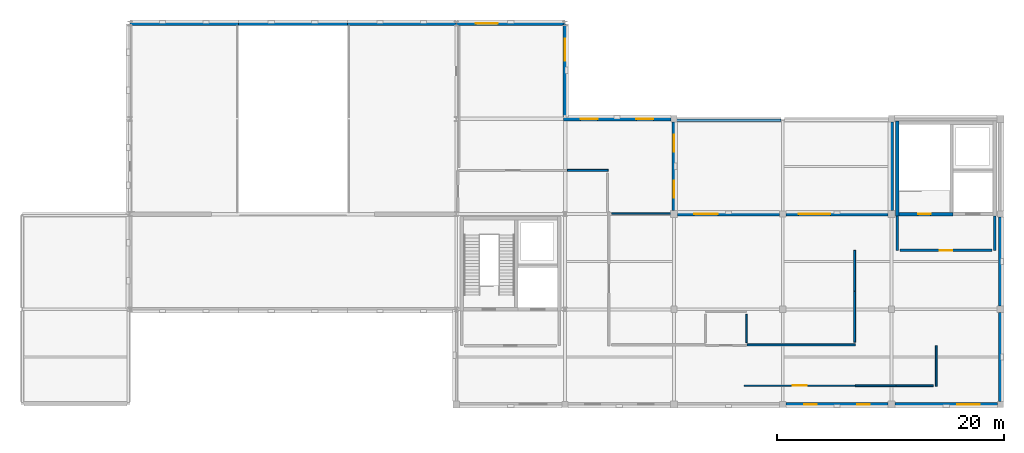
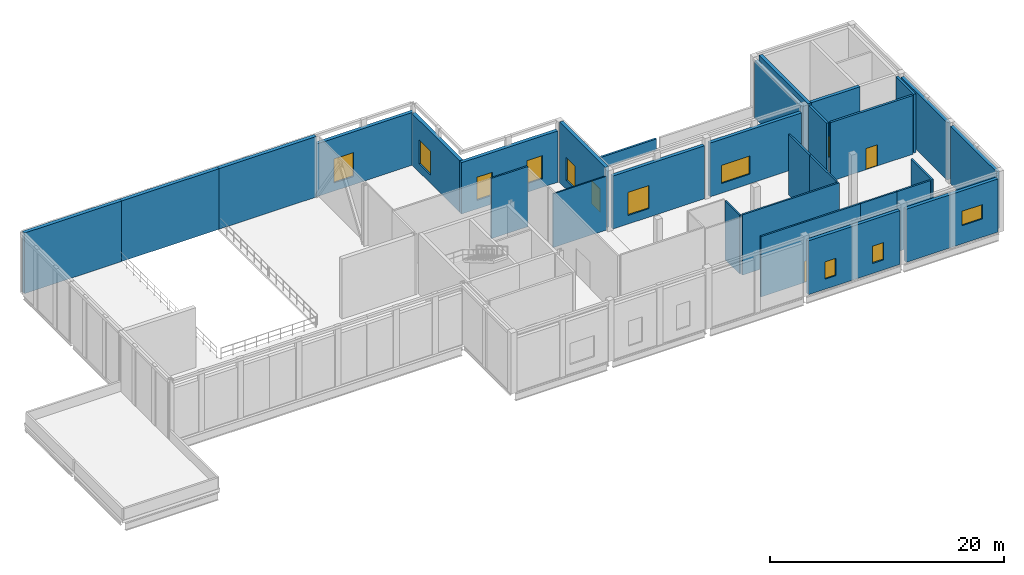
# One storey, part 6 of 9: 30 walls, 11 windows, 3 doors, 14 openings.
"""IFC4 building model written with IfcOpenShell, lengths in metres."""

from ifc_helpers import new_model, si_unit, direction, frame, frame_2d, origin, place, context, subcontext, project, spatial, rectangle, extrude, material, layer, layer_set, type_object, element, fill, save


model = new_model("IFC4")

# Units and contexts
model_context = context("Model", 3, precision=1e-05, world=origin(), true_north=direction((0.0, 1.0)))
body_context = subcontext(model_context, "Body", "Model", "MODEL_VIEW")
ifc_project = project(units=[si_unit("LENGTHUNIT", "METRE"), si_unit("AREAUNIT", "SQUARE_METRE"), si_unit("VOLUMEUNIT", "CUBIC_METRE"), si_unit("PLANEANGLEUNIT", "RADIAN"), si_unit("MASSUNIT", "GRAM", prefix="KILO")], contexts=[model_context])

# Site, building, storey
site_placement = place(None, origin())
site = spatial("IfcSite", under=ifc_project, at=site_placement, CompositionType="ELEMENT")
building_placement = place(site_placement, origin())
building = spatial("IfcBuilding", under=site, at=building_placement, Name="Lornevale Opera House", CompositionType="ELEMENT")
storey_placement = place(building_placement, frame((0.0, 0.0, 24.60009765625)))
storey = spatial("IfcBuildingStorey", under=building, at=storey_placement, Name="L06", CompositionType="ELEMENT", Elevation=24.60009765625)

# Wall, opening, window
ifc_material_1 = material(Name="Queenston Buff Limestone Ashlar Masonry (25 MPa)", Category="masonry")
ifc_layer_1 = layer(ifc_material_1, 0.324951171875)
ifc_layer_set_1 = layer_set([ifc_layer_1], Name="Queenston Buff Limestone Ashlar Masonry (25 MPa)")
wall_type_1 = type_object("IfcWallType", Name="Backstage Limestone Facade Wall 325", PredefinedType="SOLIDWALL", material=ifc_layer_set_1)
wall_1_placement = place(storey_placement, frame((115.5, 67.199951171875, 0.0), z_axis=(0.0, 0.0, 1.0), x_axis=(1.0, 0.0, 0.0)))
wall_1 = element("IfcWall", 1, at=wall_1_placement, inside=storey, type_object=wall_type_1, Name="Backstage Limestone Facade Wall 325 WL-EXT-0311", PredefinedType="SOLIDWALL", context=body_context, shape_type="SweptSolid", body=[
    extrude(rectangle(XDim=9.02490234375, YDim=0.324951171875, at=frame_2d((4.512451171875, 0.0))), origin(), (0.0, 0.0, 1.0), 5.52880859375),
])
opening_1_placement = place(wall_1_placement, frame((1.47705078125, 0.0, 0.89990234375)))
opening_1 = element("IfcOpeningElement", 2, at=opening_1_placement, cuts=wall_1, Name="Opening WN-T04", PredefinedType="OPENING", context=body_context, shape_type="SweptSolid", body=[
    extrude(rectangle(XDim=2.10009765625, YDim=2.39990234375, at=frame_2d((1.050048828125, 1.199951171875))), frame((0.0, 0.17236328125, 0.0), z_axis=(0.0, -1.0, 0.0), x_axis=(1.0, 0.0, 0.0)), (0.0, 0.0, 1.0), 0.344970703125),
])
ifc_material_2 = material(Name="Triple Low-E Insulated Glazing", Category="glass")
ifc_layer_2 = layer(ifc_material_2, 0.06005859375)
ifc_layer_set_2 = layer_set([ifc_layer_2], Name="Triple Low-E Insulated Glazing")
window_type_1 = type_object("IfcWindowType", Name="Punched Deep-Reveal Window 2100x2400", PartitioningType="NOTDEFINED", PredefinedType="WINDOW", material=ifc_layer_set_2)
window_1_placement = place(opening_1_placement, origin())
window_1 = element("IfcWindow", 3, at=window_1_placement, inside=storey, type_object=window_type_1, Name="Punched Deep-Reveal Window 2100x2400 WN-0131", OverallHeight=2.39990234375, OverallWidth=2.10009765625, PartitioningType="SINGLE_PANEL", PredefinedType="WINDOW", context=body_context, shape_type="SweptSolid", body=[
    extrude(rectangle(XDim=2.10009765625, YDim=2.39990234375, at=frame_2d((1.050048828125, 1.199951171875))), frame((0.0, 0.030029296875, 0.0), z_axis=(0.0, -1.0, 0.0), x_axis=(1.0, 0.0, 0.0)), (0.0, 0.0, 1.0), 0.06005859375),
])
fill(opening_1, window_1)

# Wall, openings, windows
wall_2_placement = place(storey_placement, frame((134.10009765625, 50.39990234375, 0.0), z_axis=(0.0, 0.0, 1.0), x_axis=(-1.0, 0.0, 0.0)))
wall_2 = element("IfcWall", 4, at=wall_2_placement, inside=storey, type_object=wall_type_1, Name="Backstage Limestone Facade Wall 325 WL-EXT-0312", PredefinedType="SOLIDWALL", context=body_context, shape_type="SweptSolid", body=[
    extrude(rectangle(XDim=9.025146484375, YDim=0.324951171875, at=frame_2d((4.5126953125, 0.0))), origin(), (0.0, 0.0, 1.0), 5.60693359375),
])
opening_2_placement = place(wall_2_placement, frame((1.615966796875, 0.0, 1.050048828125)))
opening_2 = element("IfcOpeningElement", 5, at=opening_2_placement, cuts=wall_2, Name="Opening WN-T06", PredefinedType="OPENING", context=body_context, shape_type="SweptSolid", body=[
    extrude(rectangle(XDim=1.10009765625, YDim=1.800048828125, at=frame_2d((0.550048828125, 0.89990234375))), frame((0.0, 0.17236328125, 0.0), z_axis=(0.0, -1.0, 0.0), x_axis=(1.0, 0.0, 0.0)), (0.0, 0.0, 1.0), 0.344970703125),
])
opening_3_placement = place(wall_2_placement, frame((6.30908203125, 0.0, 1.050048828125)))
opening_3 = element("IfcOpeningElement", 6, at=opening_3_placement, cuts=wall_2, Name="Opening WN-T06", PredefinedType="OPENING", context=body_context, shape_type="SweptSolid", body=[
    extrude(rectangle(XDim=1.10009765625, YDim=1.800048828125, at=frame_2d((0.550048828125, 0.89990234375))), frame((0.0, 0.17236328125, 0.0), z_axis=(0.0, -1.0, 0.0), x_axis=(1.0, 0.0, 0.0)), (0.0, 0.0, 1.0), 0.344970703125),
])
ifc_layer_3 = layer(ifc_material_2, 0.06005859375)
ifc_layer_set_3 = layer_set([ifc_layer_3], Name="Triple Low-E Insulated Glazing")
window_type_2 = type_object("IfcWindowType", Name="Dressing Suite Operable Window 1100x1800", PartitioningType="NOTDEFINED", PredefinedType="WINDOW", material=ifc_layer_set_3)
window_2_placement = place(opening_2_placement, origin())
window_2 = element("IfcWindow", 7, at=window_2_placement, inside=storey, type_object=window_type_2, Name="Dressing Suite Operable Window 1100x1800 WN-0132", OverallHeight=1.800048828125, OverallWidth=1.10009765625, PartitioningType="SINGLE_PANEL", PredefinedType="WINDOW", context=body_context, shape_type="SweptSolid", body=[
    extrude(rectangle(XDim=1.10009765625, YDim=1.800048828125, at=frame_2d((0.550048828125, 0.89990234375))), frame((0.0, 0.030029296875, 0.0), z_axis=(0.0, -1.0, 0.0), x_axis=(1.0, 0.0, 0.0)), (0.0, 0.0, 1.0), 0.06005859375),
])
fill(opening_2, window_2)
window_3_placement = place(opening_3_placement, origin())
window_3 = element("IfcWindow", 8, at=window_3_placement, inside=storey, type_object=window_type_2, Name="Dressing Suite Operable Window 1100x1800 WN-0133", OverallHeight=1.800048828125, OverallWidth=1.10009765625, PartitioningType="SINGLE_PANEL", PredefinedType="WINDOW", context=body_context, shape_type="SweptSolid", body=[
    extrude(rectangle(XDim=1.10009765625, YDim=1.800048828125, at=frame_2d((0.550048828125, 0.89990234375))), frame((0.0, 0.030029296875, 0.0), z_axis=(0.0, -1.0, 0.0), x_axis=(1.0, 0.0, 0.0)), (0.0, 0.0, 1.0), 0.06005859375),
])
fill(opening_3, window_3)

# Wall, opening, window
wall_3_placement = place(storey_placement, frame((125.074951171875, 67.199951171875, 0.0), z_axis=(0.0, 0.0, 1.0), x_axis=(1.0, 0.0, 0.0)))
wall_3 = element("IfcWall", 9, at=wall_3_placement, inside=storey, type_object=wall_type_1, Name="Backstage Limestone Facade Wall 325 WL-EXT-0313", PredefinedType="SOLIDWALL", context=body_context, shape_type="SweptSolid", body=[
    extrude(rectangle(XDim=9.025146484375, YDim=0.324951171875, at=frame_2d((4.5126953125, 0.0))), origin(), (0.0, 0.0, 1.0), 5.60693359375),
])
opening_4_placement = place(wall_3_placement, frame((1.126953125, 0.0, 1.0)))
opening_4 = element("IfcOpeningElement", 10, at=opening_4_placement, cuts=wall_3, Name="Opening WN-T09", PredefinedType="OPENING", context=body_context, shape_type="SweptSolid", body=[
    extrude(rectangle(XDim=2.800048828125, YDim=1.89990234375, at=frame_2d((1.39990234375, 0.949951171875))), frame((0.0, 0.17236328125, 0.0), z_axis=(0.0, -1.0, 0.0), x_axis=(1.0, 0.0, 0.0)), (0.0, 0.0, 1.0), 0.344970703125),
])
ifc_layer_4 = layer(ifc_material_2, 0.06005859375)
ifc_layer_set_4 = layer_set([ifc_layer_4], Name="Triple Low-E Insulated Glazing")
window_type_3 = type_object("IfcWindowType", Name="Administration Ribbon Window 2800x1900", PartitioningType="NOTDEFINED", PredefinedType="WINDOW", material=ifc_layer_set_4)
window_4_placement = place(opening_4_placement, origin())
window_4 = element("IfcWindow", 11, at=window_4_placement, inside=storey, type_object=window_type_3, Name="Administration Ribbon Window 2800x1900 WN-0134", OverallHeight=1.89990234375, OverallWidth=2.800048828125, PartitioningType="SINGLE_PANEL", PredefinedType="WINDOW", context=body_context, shape_type="SweptSolid", body=[
    extrude(rectangle(XDim=2.800048828125, YDim=1.89990234375, at=frame_2d((1.39990234375, 0.949951171875))), frame((0.0, 0.030029296875, 0.0), z_axis=(0.0, -1.0, 0.0), x_axis=(1.0, 0.0, 0.0)), (0.0, 0.0, 1.0), 0.06005859375),
])
fill(opening_4, window_4)

wall_4_placement = place(storey_placement, frame((143.72509765625, 50.39990234375, 0.0), z_axis=(0.0, 0.0, 1.0), x_axis=(-1.0, 0.0, 0.0)))
wall_4 = element("IfcWall", 12, at=wall_4_placement, inside=storey, type_object=wall_type_1, Name="Backstage Limestone Facade Wall 325 WL-EXT-0314", PredefinedType="SOLIDWALL", context=body_context, shape_type="SweptSolid", body=[
    extrude(rectangle(XDim=9.025146484375, YDim=0.324951171875, at=frame_2d((4.5126953125, 0.0))), origin(), (0.0, 0.0, 1.0), 5.52880859375),
])
opening_5_placement = place(wall_4_placement, frame((1.527099609375, 0.0, 1.89990234375)))
opening_5 = element("IfcOpeningElement", 13, at=opening_5_placement, cuts=wall_4, Name="Opening WN-T11", PredefinedType="OPENING", context=body_context, shape_type="SweptSolid", body=[
    extrude(rectangle(XDim=2.0, YDim=1.5, at=frame_2d((1.0, 0.75))), frame((0.0, 0.17236328125, 0.0), z_axis=(0.0, -1.0, 0.0), x_axis=(1.0, 0.0, 0.0)), (0.0, 0.0, 1.0), 0.344970703125),
])
ifc_layer_5 = layer(ifc_material_2, 0.06005859375)
ifc_layer_set_5 = layer_set([ifc_layer_5], Name="Triple Low-E Insulated Glazing")
window_type_4 = type_object("IfcWindowType", Name="Workshop Operable Window 2000x1500", PartitioningType="NOTDEFINED", PredefinedType="WINDOW", material=ifc_layer_set_5)
window_5_placement = place(opening_5_placement, origin())
window_5 = element("IfcWindow", 14, at=window_5_placement, inside=storey, type_object=window_type_4, Name="Workshop Operable Window 2000x1500 WN-0135", OverallHeight=1.5, OverallWidth=2.0, PartitioningType="SINGLE_PANEL", PredefinedType="WINDOW", context=body_context, shape_type="SweptSolid", body=[
    extrude(rectangle(XDim=2.0, YDim=1.5, at=frame_2d((1.0, 0.75))), frame((0.0, 0.030029296875, 0.0), z_axis=(0.0, -1.0, 0.0), x_axis=(1.0, 0.0, 0.0)), (0.0, 0.0, 1.0), 0.06005859375),
])
fill(opening_5, window_5)

# Walls
for number, where, z_axis, x_axis, name in (
    (15, (144.0, 58.5, 0.0), (0.0, 0.0, 1.0), (0.0, -1.0, 0.0), "Backstage Limestone Facade Wall 325 WL-EXT-0315"),
    (16, (144.0, 66.925048828125, 0.0), (0.0, 0.0, 1.0), (0.0, -1.0, 0.0), "Backstage Limestone Facade Wall 325 WL-EXT-0316"),
    (17, (134.39990234375, 67.5, 0.0), (0.0, 0.0, 1.0), (0.0, 1.0, 0.0), "Backstage Limestone Facade Wall 325 WL-EXT-0318"),
):
    element("IfcWall", number, at=place(storey_placement, frame(where, z_axis=z_axis, x_axis=x_axis)), inside=storey, type_object=wall_type_1, Name=name, PredefinedType="SOLIDWALL", context=body_context, shape_type="SweptSolid", body=[
        extrude(rectangle(XDim=7.824951171875, YDim=0.324951171875, at=frame_2d((3.91259765625, 0.0))), origin(), (0.0, 0.0, 1.0), 5.977783203125),
    ])

# Wall, opening, door
ifc_material_3 = material(Name="Concrete 40 MPa (CSA A23.1 C-1)", Category="concrete")
ifc_layer_6 = layer(ifc_material_3, 0.320068359375)
ifc_layer_set_6 = layer_set([ifc_layer_6], Name="Concrete 40 MPa (CSA A23.1 C-1)")
wall_type_2 = type_object("IfcWallType", Name="Core Shear Wall 320", PredefinedType="SHEAR", material=ifc_layer_set_6)
wall_5_placement = place(storey_placement, frame((135.06005859375, 67.199951171875, 0.0), z_axis=(0.0, 0.0, 1.0), x_axis=(1.0, 0.0, 0.0)))
wall_5 = element("IfcWall", 18, at=wall_5_placement, inside=storey, type_object=wall_type_2, Name="Backstage Firefighter Core East Core Shear Wall 320 WL-COR-0310", PredefinedType="SHEAR", context=body_context, shape_type="SweptSolid", body=[
    extrude(rectangle(XDim=4.780029296875, YDim=0.320068359375, at=frame_2d((2.39013671875, 0.0))), origin(), (0.0, 0.0, 1.0), 6.309814453125),
])
opening_6_placement = place(wall_5_placement, frame((1.68994140625, 0.0, 0.0)))
opening_6 = element("IfcOpeningElement", 19, at=opening_6_placement, cuts=wall_5, Name="Opening DR-T10", PredefinedType="OPENING", context=body_context, shape_type="SweptSolid", body=[
    extrude(rectangle(XDim=1.10009765625, YDim=2.199951171875, at=frame_2d((0.550048828125, 1.10009765625))), frame((0.0, 0.169921875, 0.0), z_axis=(0.0, -1.0, 0.0), x_axis=(1.0, 0.0, 0.0)), (0.0, 0.0, 1.0), 0.340087890625),
])
ifc_material_4 = material(Name="Painted Hollow Metal Door Steel", Category="steel")
ifc_layer_7 = layer(ifc_material_4, 2.199951171875)
ifc_layer_set_7 = layer_set([ifc_layer_7], Name="Painted Hollow Metal Door Steel")
door_type_1 = type_object("IfcDoorType", Name="Protected Exit Stair Door L 1100x2200", OperationType="NOTDEFINED", PredefinedType="DOOR", material=ifc_layer_set_7)
door_1_placement = place(opening_6_placement, origin())
door_1 = element("IfcDoor", 20, at=door_1_placement, inside=storey, type_object=door_type_1, Name="C7 Stair Door L06", OperationType="SINGLE_SWING_LEFT", OverallHeight=2.199951171875, OverallWidth=1.10009765625, PredefinedType="DOOR", context=body_context, shape_type="SweptSolid", body=[
    extrude(rectangle(XDim=1.10009765625, YDim=2.199951171875, at=frame_2d((0.550048828125, 1.10009765625))), frame((0.0, 0.02490234375, 0.0), z_axis=(0.0, -1.0, 0.0), x_axis=(1.0, 0.0, 0.0)), (0.0, 0.0, 1.0), 0.050048828125),
])
fill(opening_6, door_1)

# Walls
wall_6_placement = place(storey_placement, frame((134.89990234375, 75.39990234375, 0.0), z_axis=(0.0, 0.0, 1.0), x_axis=(0.0, -1.0, 0.0)))
element("IfcWall", 21, at=wall_6_placement, inside=storey, type_object=wall_type_2, Name="Backstage Firefighter Core East Core Shear Wall 320 WL-COR-0313", PredefinedType="SHEAR", context=body_context, shape_type="SweptSolid", body=[
    extrude(rectangle(XDim=8.35986328125, YDim=0.320068359375, at=frame_2d((4.179931640625, 0.0))), origin(), (0.0, 0.0, 1.0), 6.309814453125),
])
ifc_material_5 = material(Name="Acoustic Mineral-Core Gypsum Partition", Category="gypsum")
ifc_layer_8 = layer(ifc_material_5, 0.1650390625)
ifc_layer_set_8 = layer_set([ifc_layer_8], Name="Acoustic Mineral-Core Gypsum Partition")
wall_type_3 = type_object("IfcWallType", Name="Corridor Rated Partition 165", PredefinedType="PARTITIONING", material=ifc_layer_set_8)
wall_7_placement = place(storey_placement, frame((121.659912109375, 55.659912109375, 0.0), z_axis=(0.0, 0.0, 1.0), x_axis=(1.0, 0.0, 0.0)))
element("IfcWall", 22, at=wall_7_placement, inside=storey, type_object=wall_type_3, Name="L06 Partition WL-INT-0908", PredefinedType="PARTITIONING", context=body_context, shape_type="SweptSolid", body=[
    extrude(rectangle(XDim=9.5400390625, YDim=0.1650390625, at=frame_2d((4.77001953125, 0.0))), origin(), (0.0, 0.0, 1.0), 6.27978515625),
])
wall_8_placement = place(storey_placement, frame((131.139892578125, 55.909912109375, 0.0), z_axis=(0.0, 0.0, 1.0), x_axis=(0.0, 1.0, 0.0)))
element("IfcWall", 23, at=wall_8_placement, inside=storey, type_object=wall_type_3, Name="L06 Partition WL-INT-0909", PredefinedType="PARTITIONING", context=body_context, shape_type="SweptSolid", body=[
    extrude(rectangle(XDim=4.489990234375, YDim=0.1650390625, at=frame_2d((2.2451171875, 0.0))), origin(), (0.0, 0.0, 1.0), 6.27978515625),
])
wall_9_placement = place(storey_placement, frame((131.139892578125, 60.39990234375, 0.0), z_axis=(0.0, 0.0, 1.0), x_axis=(0.0, 1.0, 0.0)))
element("IfcWall", 24, at=wall_9_placement, inside=storey, type_object=wall_type_3, Name="L06 Partition WL-INT-0910", PredefinedType="PARTITIONING", context=body_context, shape_type="SweptSolid", body=[
    extrude(rectangle(XDim=3.60009765625, YDim=0.1650390625, at=frame_2d((1.800048828125, 0.0))), origin(), (0.0, 0.0, 1.0), 6.27978515625),
])

# Wall, opening, door
wall_10_placement = place(storey_placement, frame((121.39990234375, 52.06005859375, 0.0), z_axis=(0.0, 0.0, 1.0), x_axis=(1.0, 0.0, 0.0)))
wall_10 = element("IfcWall", 25, at=wall_10_placement, inside=storey, type_object=wall_type_3, Name="L06 Partition WL-INT-0911", PredefinedType="PARTITIONING", context=body_context, shape_type="SweptSolid", body=[
    extrude(rectangle(XDim=9.800048828125, YDim=0.1650390625, at=frame_2d((4.89990234375, 0.0))), origin(), (0.0, 0.0, 1.0), 6.27978515625),
])
opening_7_placement = place(wall_10_placement, frame((4.300048828125, 0.0, 0.0)))
opening_7 = element("IfcOpeningElement", 26, at=opening_7_placement, cuts=wall_10, Name="Opening DR-T24", PredefinedType="OPENING", context=body_context, shape_type="SweptSolid", body=[
    extrude(rectangle(XDim=1.199951171875, YDim=2.199951171875, at=frame_2d((0.60009765625, 1.10009765625))), frame((0.0, 0.092529296875, 0.0), z_axis=(0.0, -1.0, 0.0), x_axis=(1.0, 0.0, 0.0)), (0.0, 0.0, 1.0), 0.18505859375),
])
ifc_layer_9 = layer(ifc_material_4, 2.199951171875)
ifc_layer_set_9 = layer_set([ifc_layer_9], Name="Painted Hollow Metal Door Steel")
door_type_2 = type_object("IfcDoorType", Name="Plant Room Rated Door R 1200x2200", OperationType="NOTDEFINED", PredefinedType="DOOR", material=ifc_layer_set_9)
door_2_placement = place(opening_7_placement, origin())
door_2 = element("IfcDoor", 27, at=door_2_placement, inside=storey, type_object=door_type_2, Name="Production Archive & Dimmer Plant Door", OperationType="SINGLE_SWING_RIGHT", OverallHeight=2.199951171875, OverallWidth=1.199951171875, PredefinedType="DOOR", context=body_context, shape_type="SweptSolid", body=[
    extrude(rectangle(XDim=1.199951171875, YDim=2.199951171875, at=frame_2d((0.60009765625, 1.10009765625))), frame((0.0, 0.02490234375, 0.0), z_axis=(0.0, -1.0, 0.0), x_axis=(1.0, 0.0, 0.0)), (0.0, 0.0, 1.0), 0.050048828125),
])
fill(opening_7, door_2)

# Walls
wall_11_placement = place(storey_placement, frame((138.340087890625, 52.0, 0.0), z_axis=(0.0, 0.0, 1.0), x_axis=(0.0, 1.0, 0.0)))
element("IfcWall", 28, at=wall_11_placement, inside=storey, type_object=wall_type_3, Name="L06 Partition WL-INT-0912", PredefinedType="PARTITIONING", context=body_context, shape_type="SweptSolid", body=[
    extrude(rectangle(XDim=3.60009765625, YDim=0.1650390625, at=frame_2d((1.800048828125, 0.0))), origin(), (0.0, 0.0, 1.0), 6.27978515625),
])
wall_12_placement = place(storey_placement, frame((134.800048828125, 52.06005859375, 0.0), z_axis=(0.0, 0.0, 1.0), x_axis=(1.0, 0.0, 0.0)))
element("IfcWall", 29, at=wall_12_placement, inside=storey, type_object=wall_type_3, Name="L06 Partition WL-INT-0913", PredefinedType="PARTITIONING", context=body_context, shape_type="SweptSolid", body=[
    extrude(rectangle(XDim=3.2900390625, YDim=0.1650390625, at=frame_2d((1.64501953125, 0.0))), origin(), (0.0, 0.0, 1.0), 6.27978515625),
])
wall_13_placement = place(storey_placement, frame((131.199951171875, 52.06005859375, 0.0), z_axis=(0.0, 0.0, 1.0), x_axis=(1.0, 0.0, 0.0)))
element("IfcWall", 30, at=wall_13_placement, inside=storey, type_object=wall_type_3, Name="L06 Partition WL-INT-0914", PredefinedType="PARTITIONING", context=body_context, shape_type="SweptSolid", body=[
    extrude(rectangle(XDim=3.60009765625, YDim=0.1650390625, at=frame_2d((1.800048828125, 0.0))), origin(), (0.0, 0.0, 1.0), 6.27978515625),
])
wall_14_placement = place(storey_placement, frame((105.800048828125, 71.06005859375, 0.0), z_axis=(0.0, 0.0, 1.0), x_axis=(1.0, 0.0, 0.0)))
element("IfcWall", 31, at=wall_14_placement, inside=storey, type_object=wall_type_3, Name="L06 Partition WL-INT-0916", PredefinedType="PARTITIONING", context=body_context, shape_type="SweptSolid", body=[
    extrude(rectangle(XDim=3.599853515625, YDim=0.1650390625, at=frame_2d((1.7998046875, 0.0))), origin(), (0.0, 0.0, 1.0), 6.27978515625),
])
ifc_layer_10 = layer(ifc_material_5, 0.125)
ifc_layer_set_10 = layer_set([ifc_layer_10], Name="Acoustic Mineral-Core Gypsum Partition")
wall_type_4 = type_object("IfcWallType", Name="Dressing Suite Partition 125", PredefinedType="PARTITIONING", material=ifc_layer_set_10)
wall_15_placement = place(storey_placement, frame((109.7099609375, 67.260009765625, 0.0), z_axis=(0.0, 0.0, 1.0), x_axis=(1.0, 0.0, 0.0)))
element("IfcWall", 32, at=wall_15_placement, inside=storey, type_object=wall_type_4, Name="L06 Partition WL-INT-0919", PredefinedType="PARTITIONING", context=body_context, shape_type="SweptSolid", body=[
    extrude(rectangle(XDim=5.27001953125, YDim=0.125, at=frame_2d((2.635009765625, 0.0))), origin(), (0.0, 0.0, 1.0), 5.596923828125),
])
ifc_material_6 = material(Name="Concrete 35 MPa (CSA A23.1 N)", Category="concrete")
ifc_layer_11 = layer(ifc_material_6, 0.219970703125)
ifc_layer_set_11 = layer_set([ifc_layer_11], Name="Concrete 35 MPa (CSA A23.1 N)")
wall_type_5 = type_object("IfcWallType", Name="Firefighter Vestibule Wall 220", PredefinedType="SOLIDWALL", material=ifc_layer_set_11)
for number, where, z_axis, x_axis, name in (
    (33, (134.89990234375, 64.0, 0.0), (0.0, 0.0, 1.0), (0.0, 1.0, 0.0), "C7 Vestibule West Wall WL-INT-0421"),
    (34, (143.5, 64.0, 0.0), (0.0, 0.0, 1.0), (0.0, 1.0, 0.0), "C7 Vestibule East Wall WL-INT-0422"),
):
    element("IfcWall", number, at=place(storey_placement, frame(where, z_axis=z_axis, x_axis=x_axis)), inside=storey, type_object=wall_type_5, Name=name, PredefinedType="SOLIDWALL", context=body_context, shape_type="SweptSolid", body=[
        extrude(rectangle(XDim=3.0400390625, YDim=0.219970703125, at=frame_2d((1.52001953125, 0.0))), origin(), (0.0, 0.0, 1.0), 6.119873046875),
    ])

# Wall, opening, door
wall_16_placement = place(storey_placement, frame((135.14990234375, 64.0, 0.0), z_axis=(0.0, 0.0, 1.0), x_axis=(1.0, 0.0, 0.0)))
wall_16 = element("IfcWall", 35, at=wall_16_placement, inside=storey, type_object=wall_type_5, Name="C7 Vestibule South Wall WL-INT-0423", PredefinedType="SOLIDWALL", context=body_context, shape_type="SweptSolid", body=[
    extrude(rectangle(XDim=8.10009765625, YDim=0.219970703125, at=frame_2d((4.050048828125, 0.0))), origin(), (0.0, 0.0, 1.0), 6.119873046875),
])
opening_8_placement = place(wall_16_placement, frame((3.5, 0.0, 0.0)))
opening_8 = element("IfcOpeningElement", 36, at=opening_8_placement, cuts=wall_16, Name="Opening DR-T13", PredefinedType="OPENING", context=body_context, shape_type="SweptSolid", body=[
    extrude(rectangle(XDim=1.10009765625, YDim=2.199951171875, at=frame_2d((0.550048828125, 1.10009765625))), frame((0.0, 0.119873046875, 0.0), z_axis=(0.0, -1.0, 0.0), x_axis=(1.0, 0.0, 0.0)), (0.0, 0.0, 1.0), 0.239990234375),
])
ifc_layer_12 = layer(ifc_material_4, 2.199951171875)
ifc_layer_set_12 = layer_set([ifc_layer_12], Name="Painted Hollow Metal Door Steel")
door_type_3 = type_object("IfcDoorType", Name="Firefighter Vestibule Door 1100x2200", OperationType="NOTDEFINED", PredefinedType="DOOR", material=ifc_layer_set_12)
door_3_placement = place(opening_8_placement, origin())
door_3 = element("IfcDoor", 37, at=door_3_placement, inside=storey, type_object=door_type_3, Name="C7 Firefighter Vestibule Door L06", OperationType="SINGLE_SWING_LEFT", OverallHeight=2.199951171875, OverallWidth=1.10009765625, PredefinedType="DOOR", context=body_context, shape_type="SweptSolid", body=[
    extrude(rectangle(XDim=1.10009765625, YDim=2.199951171875, at=frame_2d((0.550048828125, 1.10009765625))), frame((0.0, 0.02490234375, 0.0), z_axis=(0.0, -1.0, 0.0), x_axis=(1.0, 0.0, 0.0)), (0.0, 0.0, 1.0), 0.050048828125),
])
fill(opening_8, door_3)

# Walls
ifc_material_7 = material(Name="Precast Concrete 40 MPa (CSA A23.1 C-1)", Category="concrete")
ifc_layer_13 = layer(ifc_material_7, 0.360107421875)
ifc_layer_set_13 = layer_set([ifc_layer_13], Name="Precast Concrete 40 MPa (CSA A23.1 C-1)")
wall_type_6 = type_object("IfcWallType", Name="Fly Tower Acoustic Precast Wall 360", PredefinedType="SOLIDWALL", material=ifc_layer_set_13)
wall_17_placement = place(storey_placement, frame((67.219970703125, 84.0, 0.0), z_axis=(0.0, 0.0, 1.0), x_axis=(1.0, 0.0, 0.0)))
element("IfcWall", 38, at=wall_17_placement, inside=storey, type_object=wall_type_6, Name="Fly Tower Acoustic Precast Wall 360 WL-EXT-0297", PredefinedType="SOLIDWALL", context=body_context, shape_type="SweptSolid", body=[
    extrude(rectangle(XDim=9.574951171875, YDim=0.360107421875, at=frame_2d((4.78759765625, 0.0))), origin(), (0.0, 0.0, 1.0), 6.309814453125),
])
wall_18_placement = place(storey_placement, frame((76.804931640625, 84.0, 0.0), z_axis=(0.0, 0.0, 1.0), x_axis=(1.0, 0.0, 0.0)))
element("IfcWall", 39, at=wall_18_placement, inside=storey, type_object=wall_type_6, Name="Fly Tower Acoustic Precast Wall 360 WL-EXT-0300", PredefinedType="SOLIDWALL", context=body_context, shape_type="SweptSolid", body=[
    extrude(rectangle(XDim=9.590087890625, YDim=0.360107421875, at=frame_2d((4.794921875, 0.0))), origin(), (0.0, 0.0, 1.0), 6.309814453125),
])
wall_19_placement = place(storey_placement, frame((86.405029296875, 84.0, 0.0), z_axis=(0.0, 0.0, 1.0), x_axis=(1.0, 0.0, 0.0)))
element("IfcWall", 40, at=wall_19_placement, inside=storey, type_object=wall_type_6, Name="Fly Tower Acoustic Precast Wall 360 WL-EXT-0302", PredefinedType="SOLIDWALL", context=body_context, shape_type="SweptSolid", body=[
    extrude(rectangle(XDim=9.574951171875, YDim=0.360107421875, at=frame_2d((4.78759765625, 0.0))), origin(), (0.0, 0.0, 1.0), 6.309814453125),
])
ifc_layer_14 = layer(ifc_material_7, 0.195068359375)
ifc_layer_set_14 = layer_set([ifc_layer_14], Name="Precast Concrete 40 MPa (CSA A23.1 C-1)")
wall_type_7 = type_object("IfcWallType", Name="Green Roof Parapet Wall 195", PredefinedType="PARAPET", material=ifc_layer_set_14)
wall_20_placement = place(storey_placement, frame((115.360107421875, 75.469970703125, 0.0), z_axis=(0.0, 0.0, 1.0), x_axis=(1.0, 0.0, 0.0)))
element("IfcWall", 41, at=wall_20_placement, inside=storey, type_object=wall_type_7, Name="Green Roof Parapet Wall 195 0487", PredefinedType="PARAPET", context=body_context, shape_type="SweptSolid", body=[
    extrude(rectangle(XDim=9.27978515625, YDim=0.195068359375, at=frame_2d((4.639892578125, 0.0))), origin(), (0.0, 0.0, 1.0), 1.14990234375),
])

# Wall, opening, window
ifc_material_8 = material(Name="Credit Valley Sandstone Ashlar Masonry (25 MPa)", Category="masonry")
ifc_layer_15 = layer(ifc_material_8, 0.340087890625)
ifc_layer_set_15 = layer_set([ifc_layer_15], Name="Credit Valley Sandstone Ashlar Masonry (25 MPa)")
wall_type_8 = type_object("IfcWallType", Name="Polychrome Drum Cavity Wall 340", PredefinedType="SOLIDWALL", material=ifc_layer_set_15)
wall_21_placement = place(storey_placement, frame((96.02001953125, 84.0, 0.0), z_axis=(0.0, 0.0, 1.0), x_axis=(1.0, 0.0, 0.0)))
wall_21 = element("IfcWall", 42, at=wall_21_placement, inside=storey, type_object=wall_type_8, Name="Polychrome Drum Cavity Wall 340 WL-EXT-0305", PredefinedType="SOLIDWALL", context=body_context, shape_type="SweptSolid", body=[
    extrude(rectangle(XDim=9.56005859375, YDim=0.340087890625, at=frame_2d((4.780029296875, 0.0))), origin(), (0.0, 0.0, 1.0), 5.4990234375),
])
opening_9_placement = place(wall_21_placement, frame((1.701904296875, 0.0, 0.85009765625)))
opening_9 = element("IfcOpeningElement", 43, at=opening_9_placement, cuts=wall_21, Name="Opening WN-T20", PredefinedType="OPENING", context=body_context, shape_type="SweptSolid", body=[
    extrude(rectangle(XDim=1.949951171875, YDim=2.5, at=frame_2d((0.97509765625, 1.25))), frame((0.0, 0.179931640625, 0.0), z_axis=(0.0, -1.0, 0.0), x_axis=(1.0, 0.0, 0.0)), (0.0, 0.0, 1.0), 0.360107421875),
])
ifc_layer_16 = layer(ifc_material_2, 0.06005859375)
ifc_layer_set_16 = layer_set([ifc_layer_16], Name="Triple Low-E Insulated Glazing")
window_type_5 = type_object("IfcWindowType", Name="Belvedere Corner Window 1950x2500", PartitioningType="NOTDEFINED", PredefinedType="WINDOW", material=ifc_layer_set_16)
window_6_placement = place(opening_9_placement, origin())
window_6 = element("IfcWindow", 44, at=window_6_placement, inside=storey, type_object=window_type_5, Name="Belvedere Corner Window 1950x2500 WN-0123", OverallHeight=2.5, OverallWidth=1.949951171875, PartitioningType="SINGLE_PANEL", PredefinedType="WINDOW", context=body_context, shape_type="SweptSolid", body=[
    extrude(rectangle(XDim=1.949951171875, YDim=2.5, at=frame_2d((0.97509765625, 1.25))), frame((0.0, 0.030029296875, 0.0), z_axis=(0.0, -1.0, 0.0), x_axis=(1.0, 0.0, 0.0)), (0.0, 0.0, 1.0), 0.06005859375),
])
fill(opening_9, window_6)

wall_22_placement = place(storey_placement, frame((105.60009765625, 83.97998046875, 0.0), z_axis=(0.0, 0.0, 1.0), x_axis=(0.0, -1.0, 0.0)))
wall_22 = element("IfcWall", 45, at=wall_22_placement, inside=storey, type_object=wall_type_8, Name="Polychrome Drum Cavity Wall 340 WL-EXT-0306", PredefinedType="SOLIDWALL", context=body_context, shape_type="SweptSolid", body=[
    extrude(rectangle(XDim=8.21337890625, YDim=0.340087890625, at=frame_2d((4.106689453125, 0.0))), origin(), (0.0, 0.0, 1.0), 5.365966796875),
])
opening_10_placement = place(wall_22_placement, frame((1.324951171875, 0.0, 0.85009765625)))
opening_10 = element("IfcOpeningElement", 46, at=opening_10_placement, cuts=wall_22, Name="Opening WN-T20", PredefinedType="OPENING", context=body_context, shape_type="SweptSolid", body=[
    extrude(rectangle(XDim=1.949951171875, YDim=2.5, at=frame_2d((0.97509765625, 1.25))), frame((0.0, 0.179931640625, 0.0), z_axis=(0.0, -1.0, 0.0), x_axis=(1.0, 0.0, 0.0)), (0.0, 0.0, 1.0), 0.360107421875),
])
window_7_placement = place(opening_10_placement, origin())
window_7 = element("IfcWindow", 47, at=window_7_placement, inside=storey, type_object=window_type_5, Name="Belvedere Corner Window 1950x2500 WN-0124", OverallHeight=2.5, OverallWidth=1.949951171875, PartitioningType="SINGLE_PANEL", PredefinedType="WINDOW", context=body_context, shape_type="SweptSolid", body=[
    extrude(rectangle(XDim=1.949951171875, YDim=2.5, at=frame_2d((0.97509765625, 1.25))), frame((0.0, 0.030029296875, 0.0), z_axis=(0.0, -1.0, 0.0), x_axis=(1.0, 0.0, 0.0)), (0.0, 0.0, 1.0), 0.06005859375),
])
fill(opening_10, window_7)

# Wall, openings, windows
wall_23_placement = place(storey_placement, frame((105.443603515625, 75.60009765625, 0.0), z_axis=(0.0, 0.0, 1.0), x_axis=(1.0, 0.0, 0.0)))
wall_23 = element("IfcWall", 48, at=wall_23_placement, inside=storey, type_object=wall_type_8, Name="Polychrome Drum Cavity Wall 340 WL-EXT-0308", PredefinedType="SOLIDWALL", context=body_context, shape_type="SweptSolid", body=[
    extrude(rectangle(XDim=9.4814453125, YDim=0.340087890625, at=frame_2d((4.74072265625, 0.0))), origin(), (0.0, 0.0, 1.0), 5.345947265625),
])
opening_11_placement = place(wall_23_placement, frame((1.52587890625, 0.0, 0.89990234375)))
opening_11 = element("IfcOpeningElement", 49, at=opening_11_placement, cuts=wall_23, Name="Opening WN-T02", PredefinedType="OPENING", context=body_context, shape_type="SweptSolid", body=[
    extrude(rectangle(XDim=1.5, YDim=2.39990234375, at=frame_2d((0.75, 1.199951171875))), frame((0.0, 0.179931640625, 0.0), z_axis=(0.0, -1.0, 0.0), x_axis=(1.0, 0.0, 0.0)), (0.0, 0.0, 1.0), 0.360107421875),
])
opening_12_placement = place(wall_23_placement, frame((6.4560546875, 0.0, 0.89990234375)))
opening_12 = element("IfcOpeningElement", 50, at=opening_12_placement, cuts=wall_23, Name="Opening WN-T02", PredefinedType="OPENING", context=body_context, shape_type="SweptSolid", body=[
    extrude(rectangle(XDim=1.5, YDim=2.39990234375, at=frame_2d((0.75, 1.199951171875))), frame((0.0, 0.179931640625, 0.0), z_axis=(0.0, -1.0, 0.0), x_axis=(1.0, 0.0, 0.0)), (0.0, 0.0, 1.0), 0.360107421875),
])
ifc_layer_17 = layer(ifc_material_2, 0.06005859375)
ifc_layer_set_17 = layer_set([ifc_layer_17], Name="Triple Low-E Insulated Glazing")
window_type_6 = type_object("IfcWindowType", Name="Punched Deep-Reveal Window 1500x2400", PartitioningType="NOTDEFINED", PredefinedType="WINDOW", material=ifc_layer_set_17)
window_8_placement = place(opening_11_placement, origin())
window_8 = element("IfcWindow", 51, at=window_8_placement, inside=storey, type_object=window_type_6, Name="Punched Deep-Reveal Window 1500x2400 WN-0127", OverallHeight=2.39990234375, OverallWidth=1.5, PartitioningType="SINGLE_PANEL", PredefinedType="WINDOW", context=body_context, shape_type="SweptSolid", body=[
    extrude(rectangle(XDim=1.5, YDim=2.39990234375, at=frame_2d((0.75, 1.199951171875))), frame((0.0, 0.030029296875, 0.0), z_axis=(0.0, -1.0, 0.0), x_axis=(1.0, 0.0, 0.0)), (0.0, 0.0, 1.0), 0.06005859375),
])
fill(opening_11, window_8)
window_9_placement = place(opening_12_placement, origin())
window_9 = element("IfcWindow", 52, at=window_9_placement, inside=storey, type_object=window_type_6, Name="Punched Deep-Reveal Window 1500x2400 WN-0128", OverallHeight=2.39990234375, OverallWidth=1.5, PartitioningType="SINGLE_PANEL", PredefinedType="WINDOW", context=body_context, shape_type="SweptSolid", body=[
    extrude(rectangle(XDim=1.5, YDim=2.39990234375, at=frame_2d((0.75, 1.199951171875))), frame((0.0, 0.030029296875, 0.0), z_axis=(0.0, -1.0, 0.0), x_axis=(1.0, 0.0, 0.0)), (0.0, 0.0, 1.0), 0.06005859375),
])
fill(opening_12, window_9)

wall_24_placement = place(storey_placement, frame((115.199951171875, 75.324951171875, 0.0), z_axis=(0.0, 0.0, 1.0), x_axis=(0.0, -1.0, 0.0)))
wall_24 = element("IfcWall", 53, at=wall_24_placement, inside=storey, type_object=wall_type_8, Name="Polychrome Drum Cavity Wall 340 WL-EXT-0309", PredefinedType="SOLIDWALL", context=body_context, shape_type="SweptSolid", body=[
    extrude(rectangle(XDim=7.824951171875, YDim=0.340087890625, at=frame_2d((3.91259765625, 0.0))), origin(), (0.0, 0.0, 1.0), 6.309814453125),
])
opening_13_placement = place(wall_24_placement, frame((1.1279296875, 0.0, 0.89990234375)))
opening_13 = element("IfcOpeningElement", 54, at=opening_13_placement, cuts=wall_24, Name="Opening WN-T02", PredefinedType="OPENING", context=body_context, shape_type="SweptSolid", body=[
    extrude(rectangle(XDim=1.5, YDim=2.39990234375, at=frame_2d((0.75, 1.199951171875))), frame((0.0, 0.179931640625, 0.0), z_axis=(0.0, -1.0, 0.0), x_axis=(1.0, 0.0, 0.0)), (0.0, 0.0, 1.0), 0.360107421875),
])
opening_14_placement = place(wall_24_placement, frame((5.197021484375, 0.0, 0.89990234375)))
opening_14 = element("IfcOpeningElement", 55, at=opening_14_placement, cuts=wall_24, Name="Opening WN-T02", PredefinedType="OPENING", context=body_context, shape_type="SweptSolid", body=[
    extrude(rectangle(XDim=1.5, YDim=2.39990234375, at=frame_2d((0.75, 1.199951171875))), frame((0.0, 0.179931640625, 0.0), z_axis=(0.0, -1.0, 0.0), x_axis=(1.0, 0.0, 0.0)), (0.0, 0.0, 1.0), 0.360107421875),
])
window_10_placement = place(opening_13_placement, origin())
window_10 = element("IfcWindow", 56, at=window_10_placement, inside=storey, type_object=window_type_6, Name="Punched Deep-Reveal Window 1500x2400 WN-0129", OverallHeight=2.39990234375, OverallWidth=1.5, PartitioningType="SINGLE_PANEL", PredefinedType="WINDOW", context=body_context, shape_type="SweptSolid", body=[
    extrude(rectangle(XDim=1.5, YDim=2.39990234375, at=frame_2d((0.75, 1.199951171875))), frame((0.0, 0.030029296875, 0.0), z_axis=(0.0, -1.0, 0.0), x_axis=(1.0, 0.0, 0.0)), (0.0, 0.0, 1.0), 0.06005859375),
])
fill(opening_13, window_10)
window_11_placement = place(opening_14_placement, origin())
window_11 = element("IfcWindow", 57, at=window_11_placement, inside=storey, type_object=window_type_6, Name="Punched Deep-Reveal Window 1500x2400 WN-0130", OverallHeight=2.39990234375, OverallWidth=1.5, PartitioningType="SINGLE_PANEL", PredefinedType="WINDOW", context=body_context, shape_type="SweptSolid", body=[
    extrude(rectangle(XDim=1.5, YDim=2.39990234375, at=frame_2d((0.75, 1.199951171875))), frame((0.0, 0.030029296875, 0.0), z_axis=(0.0, -1.0, 0.0), x_axis=(1.0, 0.0, 0.0)), (0.0, 0.0, 1.0), 0.06005859375),
])
fill(opening_14, window_11)

# Wall
ifc_material_9 = material(Name="Moisture-Resistant Ceramic & Gypsum Partition", Category="gypsum")
ifc_layer_18 = layer(ifc_material_9, 0.139892578125)
ifc_layer_set_18 = layer_set([ifc_layer_18], Name="Moisture-Resistant Ceramic & Gypsum Partition")
wall_type_9 = type_object("IfcWallType", Name="Washroom Moisture Partition 140", PredefinedType="PARTITIONING", material=ifc_layer_set_18)
wall_25_placement = place(storey_placement, frame((121.60009765625, 55.85009765625, 0.0), z_axis=(0.0, 0.0, 1.0), x_axis=(0.0, 1.0, 0.0)))
element("IfcWall", 58, at=wall_25_placement, inside=storey, type_object=wall_type_9, Name="Gridiron Plant Accessible WC E Wall WL-INT-0523", PredefinedType="PARTITIONING", context=body_context, shape_type="SweptSolid", body=[
    extrude(rectangle(XDim=2.5, YDim=0.139892578125, at=frame_2d((1.25, 0.0))), origin(), (0.0, 0.0, 1.0), 6.119873046875),
])

save(model, "model.ifc")
